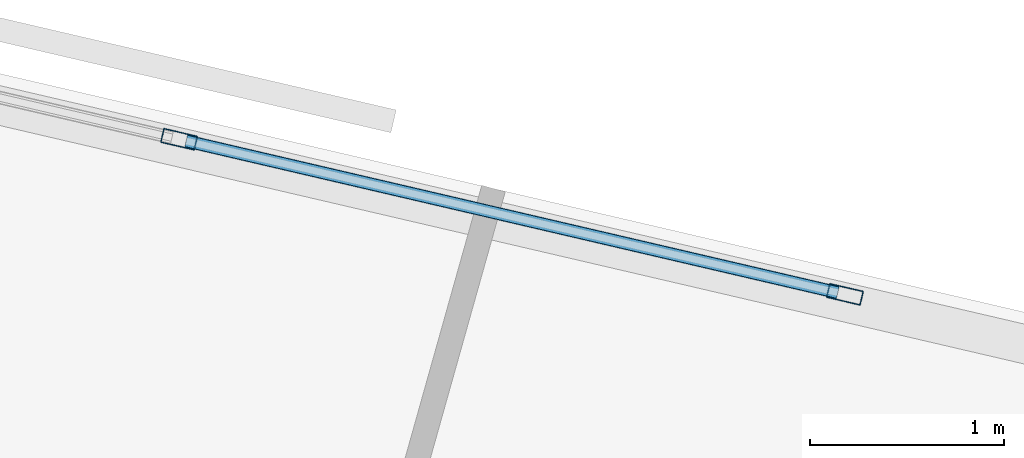
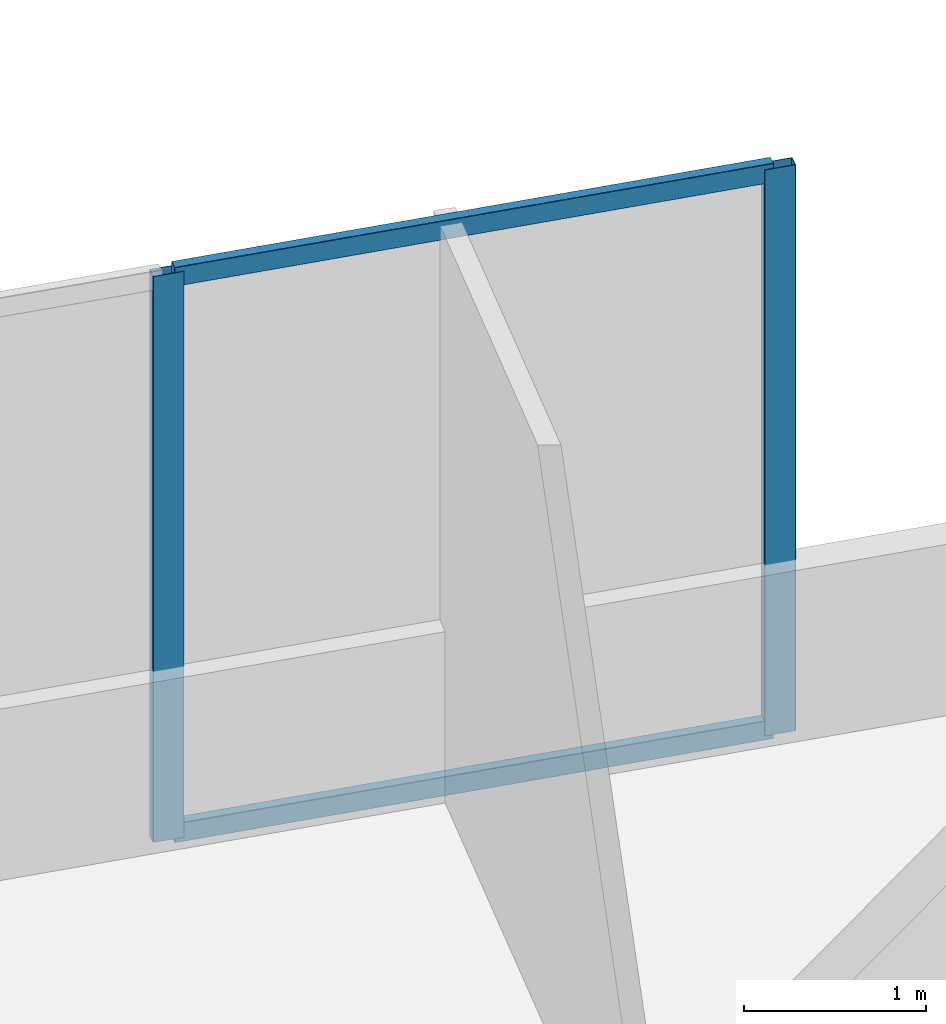
# One storey, part 2 of 14: 4 members, 1 element without a shape of its own.
"""IFC4 building model written with IfcOpenShell, lengths in metres."""

from ifc_helpers import new_model, si_unit, direction, frame, origin, origin_2d, place, context, subcontext, project, spatial, hollow_rectangle, extrude, material, material_profile, profile_set, type_object, element, aggregate, save


model = new_model("IFC4")

# Units and contexts
model_context = context("Model", 3, precision=1e-05, world=origin(), true_north=direction((0.0, 1.0)))
body_context = subcontext(model_context, "Body", "Model", "MODEL_VIEW")
ifc_project = project(units=[si_unit("LENGTHUNIT", "METRE"), si_unit("AREAUNIT", "SQUARE_METRE"), si_unit("VOLUMEUNIT", "CUBIC_METRE"), si_unit("PLANEANGLEUNIT", "RADIAN"), si_unit("MASSUNIT", "GRAM", prefix="KILO")], contexts=[model_context])

# Site, building, storey
site_placement = place(None, origin())
site = spatial("IfcSite", under=ifc_project, at=site_placement, CompositionType="ELEMENT")
building_placement = place(site_placement, origin())
building = spatial("IfcBuilding", under=site, at=building_placement, Name="Narakoshi Arena Tower", CompositionType="ELEMENT")
storey_placement = place(building_placement, frame((0.0, 0.0, 196.699951171875)))
storey = spatial("IfcBuildingStorey", under=building, at=storey_placement, Name="L53", CompositionType="ELEMENT", Elevation=196.699951171875)

# Curtain wall, members
ifc_material = material(Name="Anodised bronze aluminium 6063-T6", Category="aluminium")
curtain_wall_type = type_object("IfcCurtainWallType", Name="CW-HYP-MID", PredefinedType="NOTDEFINED", material=ifc_material)
curtain_wall_placement = place(storey_placement, origin())
curtain_wall = element("IfcCurtainWall", 1, at=curtain_wall_placement, inside=storey, type_object=curtain_wall_type, Name="L53 Folded Hypotenuse Curtain Wall 2-1", PredefinedType="NOTDEFINED")
ifc_material_profile_1 = material_profile(ifc_material, hollow_rectangle(XDim=0.074951171875, YDim=0.179931640625, WallThickness=0.00390625, OuterFilletRadius=0.0048828125, at=origin_2d()), Name="MUL180x75x4")
ifc_profile_set_1 = profile_set([ifc_material_profile_1], Name="Anodised bronze aluminium 6063-T6")
member_type_1 = type_object("IfcMemberType", Name="MEM-MUL-180", PredefinedType="MULLION", material=ifc_profile_set_1)
member_1_placement = place(storey_placement, frame((85.6767578125, 62.869384765625, 0.0), z_axis=(0.0, 0.0, 1.0), x_axis=(-0.22672122121, -0.973959695189, 0.0)))
member_1 = element("IfcMember", 2, at=member_1_placement, type_object=member_type_1, Name="CW-02 mullion 1", PredefinedType="MULLION", context=body_context, shape_type="SweptSolid", body=[
    extrude(hollow_rectangle(XDim=0.074951171875, YDim=0.179931640625, WallThickness=0.00390625, OuterFilletRadius=0.0048828125, at=origin_2d()), origin(), (0.0, 0.0, 1.0), 3.800048828125),
])
member_2_placement = place(storey_placement, frame((82.25244140625, 63.666748046875, 0.0), z_axis=(0.0, 0.0, 1.0), x_axis=(-0.22672122121, -0.973959695189, 0.0)))
member_2 = element("IfcMember", 3, at=member_2_placement, type_object=member_type_1, Name="CW-02 mullion 2", PredefinedType="MULLION", context=body_context, shape_type="SweptSolid", body=[
    extrude(hollow_rectangle(XDim=0.074951171875, YDim=0.179931640625, WallThickness=0.00390625, OuterFilletRadius=0.0048828125, at=origin_2d()), origin(), (0.0, 0.0, 1.0), 3.800048828125),
])
ifc_material_profile_2 = material_profile(ifc_material, hollow_rectangle(XDim=0.06494140625, YDim=0.1298828125, WallThickness=0.00390625, OuterFilletRadius=0.0048828125, at=origin_2d()), Name="TRN130x65x4")
ifc_profile_set_2 = profile_set([ifc_material_profile_2], Name="Anodised bronze aluminium 6063-T6")
member_type_2 = type_object("IfcMemberType", Name="MEM-TRN-130", PredefinedType="USERDEFINED", material=ifc_profile_set_2)
member_3_placement = place(storey_placement, frame((85.64013671875, 62.8779296875, 0.032470703125), z_axis=(-0.973950477278, 0.226760816302, 0.0), x_axis=(-0.226760816302, -0.973950477278, 0.0)))
member_3 = element("IfcMember", 4, at=member_3_placement, type_object=member_type_2, Name="CW-02 transom 1.1", ObjectType="TRANSOM", PredefinedType="USERDEFINED", context=body_context, shape_type="SweptSolid", body=[
    extrude(hollow_rectangle(XDim=0.06494140625, YDim=0.1298828125, WallThickness=0.00390625, OuterFilletRadius=0.0048828125, at=origin_2d()), origin(), (0.0, 0.0, 1.0), 3.44091796875),
])
member_4_placement = place(storey_placement, frame((85.64013671875, 62.8779296875, 3.767578125), z_axis=(-0.973950477278, 0.226760816302, 0.0), x_axis=(-0.226760816302, -0.973950477278, 0.0)))
member_4 = element("IfcMember", 5, at=member_4_placement, type_object=member_type_2, Name="CW-02 transom 1.2", ObjectType="TRANSOM", PredefinedType="USERDEFINED", context=body_context, shape_type="SweptSolid", body=[
    extrude(hollow_rectangle(XDim=0.06494140625, YDim=0.1298828125, WallThickness=0.00390625, OuterFilletRadius=0.0048828125, at=origin_2d()), origin(), (0.0, 0.0, 1.0), 3.44091796875),
])
aggregate(curtain_wall, [member_1, member_2, member_3, member_4])

save(model, "model.ifc")
